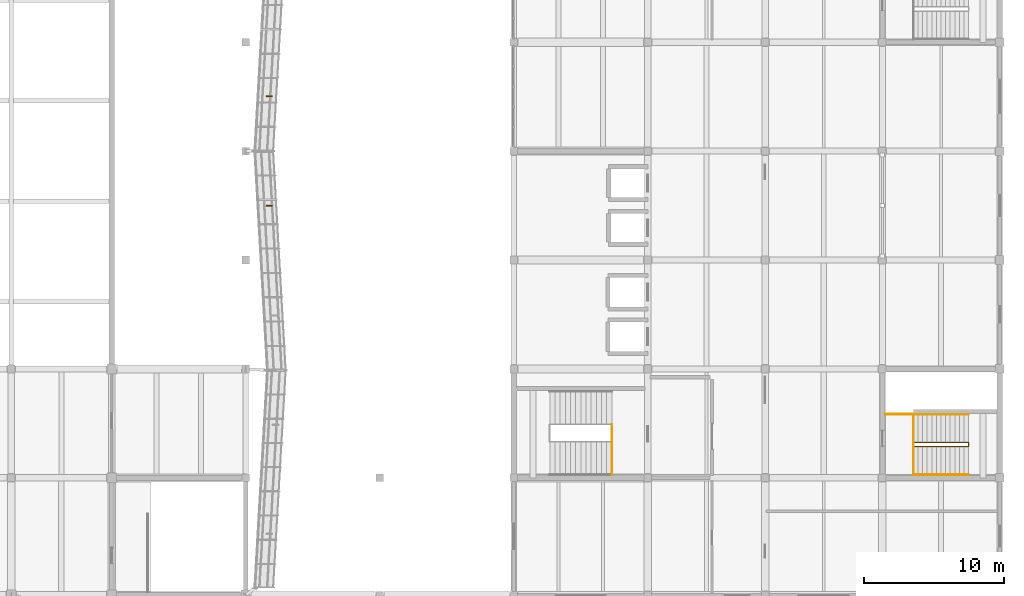
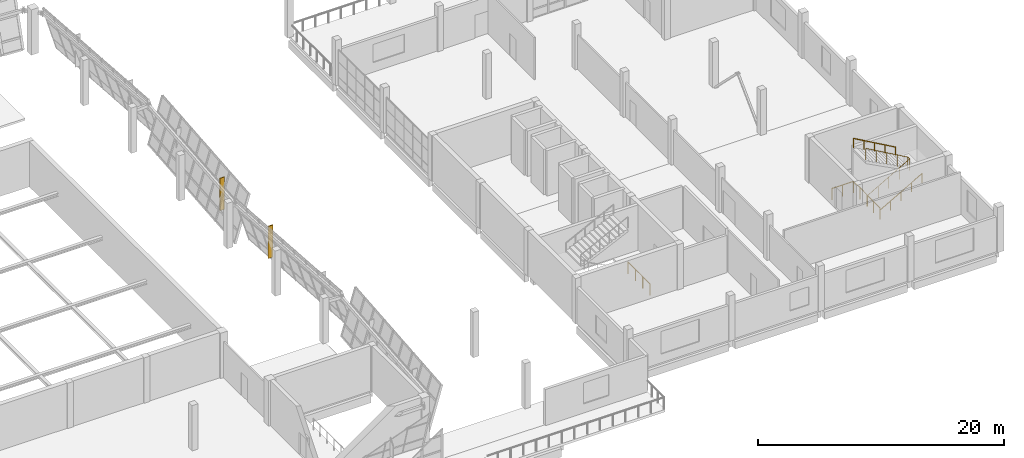
# One storey, part 64 of 67: 5 railings, 2 shading devices.
"""IFC4 building model written with IfcOpenShell, lengths in metres."""

from ifc_helpers import new_model, si_unit, direction, frame, origin, origin_2d, place, context, subcontext, project, spatial, rectangle, circle, extrude, material, type_object, element, save


model = new_model("IFC4")

# Units and contexts
model_context = context("Model", 3, precision=1e-05, world=origin(), true_north=direction((0.0, 1.0)))
body_context = subcontext(model_context, "Body", "Model", "MODEL_VIEW")
ifc_project = project(units=[si_unit("LENGTHUNIT", "METRE"), si_unit("AREAUNIT", "SQUARE_METRE"), si_unit("VOLUMEUNIT", "CUBIC_METRE"), si_unit("PLANEANGLEUNIT", "RADIAN"), si_unit("MASSUNIT", "GRAM", prefix="KILO")], contexts=[model_context])

# Site, building, storey
site_placement = place(None, origin())
site = spatial("IfcSite", under=ifc_project, at=site_placement, CompositionType="ELEMENT")
building_placement = place(site_placement, origin())
building = spatial("IfcBuilding", under=site, at=building_placement, Name="Pellamere Symphony Hall", CompositionType="ELEMENT")
storey_placement = place(building_placement, frame((0.0, 0.0, 19.5)))
storey = spatial("IfcBuildingStorey", under=building, at=storey_placement, Name="L04", CompositionType="ELEMENT", Elevation=19.5)

# Shading devices
ifc_material_1 = material(Name="Champagne-Anodised Extruded Aluminium 6063-T6", Category="aluminium")
shading_device_type = type_object("IfcShadingDeviceType", Name="Exterior Shading SD-01 65x450", PredefinedType="SHUTTER", material=ifc_material_1)
for number, where, z_axis, x_axis, name in (
    (1, (120.4814453125, 57.875, 0.64990234375), (0.0, 0.0, 1.0), (0.0, 1.0, 0.0), "Crystal Acoustic Sunshade Fin CW-CR07 (L04)"),
    (2, (120.4814453125, 65.72509765625, 0.64990234375), (0.0, 0.0, 1.0), (0.0, 1.0, 0.0), "Crystal Acoustic Sunshade Fin CW-CR08 (L04)"),
):
    element("IfcShadingDevice", number, at=place(storey_placement, frame(where, z_axis=z_axis, x_axis=x_axis)), inside=storey, type_object=shading_device_type, Name=name, PredefinedType="SHUTTER", context=body_context, shape_type="SweptSolid", body=[
        extrude(rectangle(XDim=0.06494140625, YDim=0.449951171875, at=origin_2d()), origin(), (0.0, 0.0, 1.0), 3.199951171875),
    ])

# Railings
ifc_material_2 = material(Name="Painted Steel CSA G40.21 350W", Category="steel")
railing_type_1 = type_object("IfcRailingType", Name="Guardrail GR-02 H1150 Painted", PredefinedType="GUARDRAIL", material=ifc_material_2)
railing_1_placement = place(storey_placement, frame((145.02490234375, 38.610107421875, 0.0)))
element("IfcRailing", 3, at=railing_1_placement, inside=storey, type_object=railing_type_1, Name="Stair ST02-L04 Landing Well Slot Guard (L04)", PredefinedType="GUARDRAIL", context=body_context, shape_type="SweptSolid", body=[
    extrude(circle(Radius=0.02392578125, at=origin_2d()), frame((0.0, 0.0, 1.1259765625), z_axis=(0.0, 1.0, 0.0), x_axis=(-1.0, 0.0, 0.0)), (0.0, 0.0, 1.0), 3.599853515625),
    extrude(circle(Radius=0.02099609375, at=origin_2d()), origin(), (0.0, 0.0, 1.0), 1.101806640625),
    extrude(circle(Radius=0.02099609375, at=origin_2d()), frame((0.0, 1.199951171875, 0.0)), (0.0, 0.0, 1.0), 1.101806640625),
    extrude(circle(Radius=0.02099609375, at=origin_2d()), frame((0.0, 2.39990234375, 0.0)), (0.0, 0.0, 1.0), 1.101806640625),
    extrude(circle(Radius=0.02099609375, at=origin_2d()), frame((0.0, 3.599853515625, 0.0)), (0.0, 0.0, 1.0), 1.101806640625),
])
railing_2_placement = place(storey_placement, frame((166.625, 40.639892578125, 0.0)))
element("IfcRailing", 4, at=railing_2_placement, inside=storey, type_object=railing_type_1, Name="Stair ST06-L04 Continuous Well Guardrail (L04)", PredefinedType="GUARDRAIL", context=body_context, shape_type="SweptSolid", body=[
    extrude(circle(Radius=0.02392578125, at=origin_2d()), frame((0.0, 0.0, 1.1259765625), z_axis=(0.868916562865, 0.0, 0.494958590974), x_axis=(0.0, 1.0, 0.0)), (0.0, 0.0, 1.0), 4.5458984375),
    extrude(circle(Radius=0.02392578125, at=origin_2d()), frame((3.949951171875, 0.0, 3.3759765625), z_axis=(0.0, 1.0, 0.0), x_axis=(-1.0, 0.0, 0.0)), (0.0, 0.0, 1.0), 0.280029296875),
    extrude(circle(Radius=0.02392578125, at=origin_2d()), frame((3.949951171875, 0.280029296875, 3.3759765625), z_axis=(-0.868916562865, 0.0, 0.494958590974), x_axis=(0.0, -1.0, 0.0)), (0.0, 0.0, 1.0), 4.5458984375),
    extrude(circle(Radius=0.02099609375, at=origin_2d()), origin(), (0.0, 0.0, 1.0), 1.101806640625),
    extrude(circle(Radius=0.02099609375, at=origin_2d()), frame((0.987548828125, 0.0, 0.5625)), (0.0, 0.0, 1.0), 1.101806640625),
    extrude(circle(Radius=0.02099609375, at=origin_2d()), frame((1.97509765625, 0.0, 1.125)), (0.0, 0.0, 1.0), 1.101806640625),
    extrude(circle(Radius=0.02099609375, at=origin_2d()), frame((2.96240234375, 0.0, 1.6875)), (0.0, 0.0, 1.0), 1.101806640625),
    extrude(circle(Radius=0.02099609375, at=origin_2d()), frame((3.949951171875, 0.0, 2.25)), (0.0, 0.0, 1.0), 1.101806640625),
    extrude(circle(Radius=0.02099609375, at=origin_2d()), frame((3.949951171875, 0.280029296875, 2.25)), (0.0, 0.0, 1.0), 1.101806640625),
    extrude(circle(Radius=0.02099609375, at=origin_2d()), frame((2.96240234375, 0.280029296875, 2.8125)), (0.0, 0.0, 1.0), 1.101806640625),
    extrude(circle(Radius=0.02099609375, at=origin_2d()), frame((1.97509765625, 0.280029296875, 3.375)), (0.0, 0.0, 1.0), 1.101806640625),
    extrude(circle(Radius=0.02099609375, at=origin_2d()), frame((0.987548828125, 0.280029296875, 3.9375)), (0.0, 0.0, 1.0), 1.101806640625),
    extrude(circle(Radius=0.02099609375, at=origin_2d()), frame((0.0, 0.280029296875, 4.5)), (0.0, 0.0, 1.0), 1.101806640625),
])
railing_3_placement = place(storey_placement, frame((166.625, 38.610107421875, 0.0)))
element("IfcRailing", 5, at=railing_3_placement, inside=storey, type_object=railing_type_1, Name="Stair ST06-L04 Landing Well Slot Guard (L04)", PredefinedType="GUARDRAIL", context=body_context, shape_type="SweptSolid", body=[
    extrude(circle(Radius=0.02392578125, at=origin_2d()), frame((0.0, 0.0, 1.1259765625), z_axis=(0.0, 1.0, 0.0), x_axis=(-1.0, 0.0, 0.0)), (0.0, 0.0, 1.0), 4.33984375),
    extrude(circle(Radius=0.02392578125, at=origin_2d()), frame((0.0, 4.33984375, 1.1259765625), z_axis=(-1.0, 0.0, 0.0), x_axis=(0.0, -1.0, 0.0)), (0.0, 0.0, 1.0), 2.014892578125),
    extrude(circle(Radius=0.02099609375, at=origin_2d()), origin(), (0.0, 0.0, 1.0), 1.101806640625),
    extrude(circle(Radius=0.02099609375, at=origin_2d()), frame((0.0, 1.0849609375, 0.0)), (0.0, 0.0, 1.0), 1.101806640625),
    extrude(circle(Radius=0.02099609375, at=origin_2d()), frame((0.0, 2.169921875, 0.0)), (0.0, 0.0, 1.0), 1.101806640625),
    extrude(circle(Radius=0.02099609375, at=origin_2d()), frame((0.0, 3.2548828125, 0.0)), (0.0, 0.0, 1.0), 1.101806640625),
    extrude(circle(Radius=0.02099609375, at=origin_2d()), frame((0.0, 4.33984375, 0.0)), (0.0, 0.0, 1.0), 1.101806640625),
    extrude(circle(Radius=0.02099609375, at=origin_2d()), frame((-1.00732421875, 4.33984375, 0.0)), (0.0, 0.0, 1.0), 1.101806640625),
    extrude(circle(Radius=0.02099609375, at=origin_2d()), frame((-2.014892578125, 4.33984375, 0.0)), (0.0, 0.0, 1.0), 1.101806640625),
])
ifc_material_3 = material(Name="Stainless Steel AISI 316", Category="steel")
railing_type_2 = type_object("IfcRailingType", Name="Handrail HR-01 H920 Stainless", PredefinedType="HANDRAIL", material=ifc_material_3)
railing_4_placement = place(storey_placement, frame((166.625, 38.6201171875, 0.0)))
element("IfcRailing", 6, at=railing_4_placement, inside=storey, type_object=railing_type_2, Name="Stair ST06-L04 Lower Wall Handrail (L04)", PredefinedType="HANDRAIL", context=body_context, shape_type="SweptSolid", body=[
    extrude(circle(Radius=0.02392578125, at=origin_2d()), frame((0.0, 0.0, 0.89599609375), z_axis=(0.868916562865, 0.0, 0.494958590974), x_axis=(0.0, 1.0, 0.0)), (0.0, 0.0, 1.0), 4.5458984375),
    extrude(circle(Radius=0.02099609375, at=origin_2d()), origin(), (0.0, 0.0, 1.0), 0.871826171875),
    extrude(circle(Radius=0.02099609375, at=origin_2d()), frame((0.987548828125, 0.0, 0.5625)), (0.0, 0.0, 1.0), 0.871826171875),
    extrude(circle(Radius=0.02099609375, at=origin_2d()), frame((1.97509765625, 0.0, 1.125)), (0.0, 0.0, 1.0), 0.871826171875),
    extrude(circle(Radius=0.02099609375, at=origin_2d()), frame((2.96240234375, 0.0, 1.6875)), (0.0, 0.0, 1.0), 0.871826171875),
    extrude(circle(Radius=0.02099609375, at=origin_2d()), frame((3.949951171875, 0.0, 2.25)), (0.0, 0.0, 1.0), 0.871826171875),
])
railing_5_placement = place(storey_placement, frame((170.574951171875, 42.93994140625, 2.25)))
element("IfcRailing", 7, at=railing_5_placement, inside=storey, type_object=railing_type_2, Name="Stair ST06-L04 Upper Wall Handrail (L04)", PredefinedType="HANDRAIL", context=body_context, shape_type="SweptSolid", body=[
    extrude(circle(Radius=0.02392578125, at=origin_2d()), frame((0.0, 0.0, 0.89599609375), z_axis=(-0.868916562865, 0.0, 0.494958590974), x_axis=(0.0, -1.0, 0.0)), (0.0, 0.0, 1.0), 4.5458984375),
    extrude(circle(Radius=0.02099609375, at=origin_2d()), origin(), (0.0, 0.0, 1.0), 0.871826171875),
    extrude(circle(Radius=0.02099609375, at=origin_2d()), frame((-0.987548828125, 0.0, 0.5625)), (0.0, 0.0, 1.0), 0.871826171875),
    extrude(circle(Radius=0.02099609375, at=origin_2d()), frame((-1.97509765625, 0.0, 1.125)), (0.0, 0.0, 1.0), 0.871826171875),
    extrude(circle(Radius=0.02099609375, at=origin_2d()), frame((-2.96240234375, 0.0, 1.6875)), (0.0, 0.0, 1.0), 0.871826171875),
    extrude(circle(Radius=0.02099609375, at=origin_2d()), frame((-3.949951171875, 0.0, 2.25)), (0.0, 0.0, 1.0), 0.871826171875),
])

save(model, "model.ifc")
